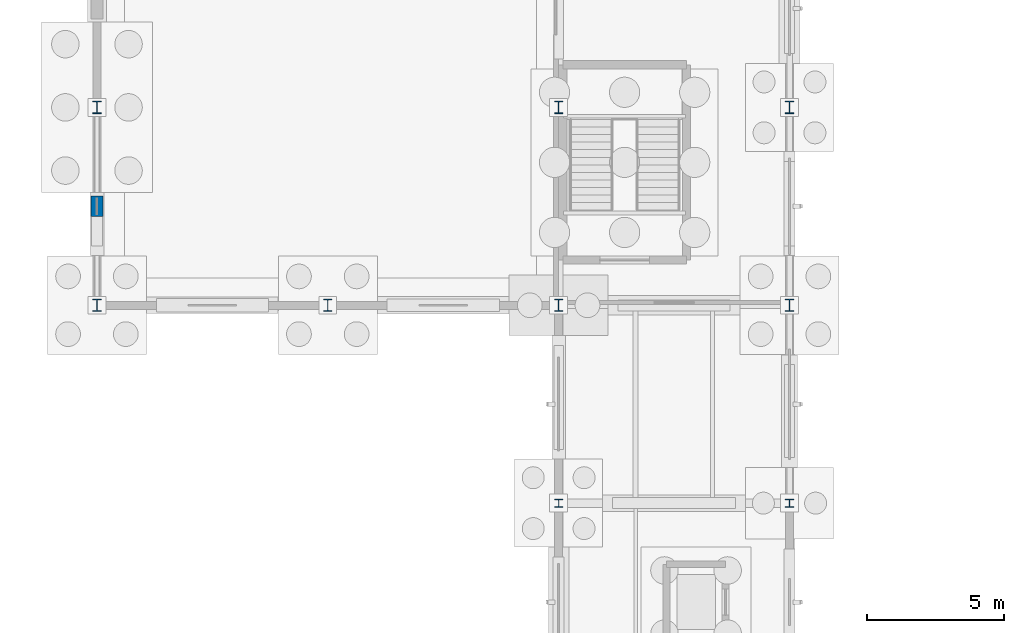
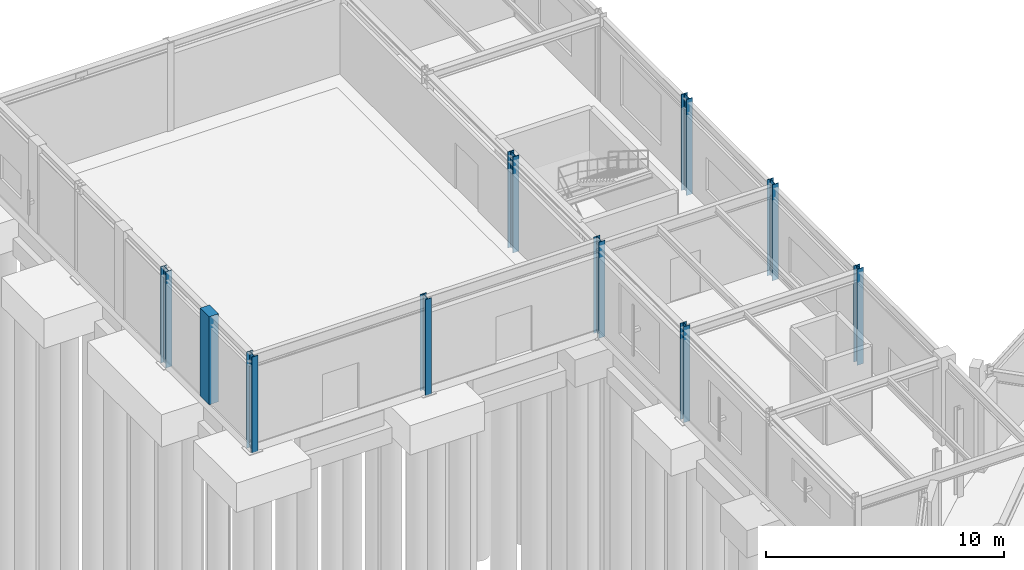
# One storey, part 20 of 93: 10 columns.
"""IFC4 building model written with IfcOpenShell, lengths in metres."""

from ifc_helpers import new_model, si_unit, derived_unit, direction, frame, origin, origin_2d, place, context, subcontext, project, spatial, rectangle, i_section, extrude, material, material_profile, profile_set, type_object, element, save


model = new_model("IFC4")

# Units and contexts
model_context = context("Model", 3, precision=1e-05, world=origin(), true_north=direction((0.0, 1.0)))
body_context = subcontext(model_context, "Body", "Model", "MODEL_VIEW")
ifc_project = project(units=[si_unit("LENGTHUNIT", "METRE"), si_unit("AREAUNIT", "SQUARE_METRE"), si_unit("VOLUMEUNIT", "CUBIC_METRE"), si_unit("PLANEANGLEUNIT", "RADIAN"), si_unit("MASSUNIT", "GRAM", prefix="KILO"), derived_unit("THERMALTRANSMITTANCEUNIT", [(si_unit("MASSUNIT", "GRAM", prefix="KILO"), 1), (si_unit("TIMEUNIT", "SECOND"), -3), (si_unit("THERMODYNAMICTEMPERATUREUNIT", "KELVIN"), -1)])], contexts=[model_context])

# Site, building, storey
site_placement = place(None, origin())
site = spatial("IfcSite", under=ifc_project, at=site_placement, CompositionType="ELEMENT")
building_placement = place(site_placement, origin())
building = spatial("IfcBuilding", under=site, at=building_placement, Name="Kharveza Railside Sports Centre", CompositionType="ELEMENT")
storey_placement = place(building_placement, origin())
storey = spatial("IfcBuildingStorey", under=building, at=storey_placement, Name="L00", CompositionType="ELEMENT", Elevation=0.0)

# Columns
ifc_material_1 = material(Name="Concrete C35/45", Category="concrete")
ifc_material_profile_1 = material_profile(ifc_material_1, rectangle(XDim=0.449951171875, YDim=0.75, at=origin_2d()), Name="RC 450x750")
ifc_profile_set_1 = profile_set([ifc_material_profile_1], Name="Concrete C35/45")
column_type_1 = type_object("IfcColumnType", Name="COL-RC11", PredefinedType="PILASTER", material=ifc_profile_set_1)
column_placement = place(storey_placement, frame((0.0, 90.0, 0.0), z_axis=(0.0, 0.0, 1.0), x_axis=(1.0, 0.0, 0.0)))
element("IfcColumn", 1, at=column_placement, inside=storey, type_object=column_type_1, Name="COL-PIL-CLW-01", PredefinedType="PILASTER", context=body_context, shape_type="SweptSolid", body=[
    extrude(rectangle(XDim=0.449951171875, YDim=0.75, at=origin_2d()), origin(), (0.0, 0.0, 1.0), 4.5),
])
ifc_material_2 = material(Name="Steel S355J2", Category="steel")
ifc_material_profile_2 = material_profile(ifc_material_2, i_section(OverallWidth=0.300048828125, OverallDepth=0.449951171875, WebThickness=0.013916015625, FlangeThickness=0.02587890625, FilletRadius=0.027099609375, at=origin_2d()), Name="HEB 450")
ifc_profile_set_2 = profile_set([ifc_material_profile_2], Name="Steel S355J2")
column_type_2 = type_object("IfcColumnType", Name="COL-S04", PredefinedType="COLUMN", material=ifc_profile_set_2)
for number, where, z_axis, x_axis, name in (
    (2, (0.0, 86.39990234375, -0.419921875), (0.0, 0.0, 1.0), (1.0, 0.0, 0.0), "COL-G-C04-X0-Y864-L00"),
    (3, (0.0, 93.60009765625, -0.419921875), (0.0, 0.0, 1.0), (1.0, 0.0, 0.0), "COL-G-C04-X0-Y936-L00"),
    (4, (8.39990234375, 86.39990234375, -0.419921875), (0.0, 0.0, 1.0), (1.0, 0.0, 0.0), "COL-G-C04-X84-Y864-L00"),
    (5, (16.800048828125, 86.39990234375, -0.419921875), (0.0, 0.0, 1.0), (1.0, 0.0, 0.0), "COL-G-C04-X168-Y864-L00"),
    (6, (16.800048828125, 93.60009765625, -0.419921875), (0.0, 0.0, 1.0), (1.0, 0.0, 0.0), "COL-G-C04-X168-Y936-L00"),
    (7, (25.199951171875, 86.39990234375, -0.419921875), (0.0, 0.0, 1.0), (1.0, 0.0, 0.0), "COL-G-C04-X252-Y864-L00"),
    (8, (25.199951171875, 93.60009765625, -0.419921875), (0.0, 0.0, 1.0), (1.0, 0.0, 0.0), "COL-G-C04-X252-Y936-L00"),
):
    element("IfcColumn", number, at=place(storey_placement, frame(where, z_axis=z_axis, x_axis=x_axis)), inside=storey, type_object=column_type_2, Name=name, PredefinedType="COLUMN", context=body_context, shape_type="SweptSolid", body=[
        extrude(i_section(OverallWidth=0.300048828125, OverallDepth=0.449951171875, WebThickness=0.013916015625, FlangeThickness=0.02587890625, FilletRadius=0.027099609375, at=origin_2d()), origin(), (0.0, 0.0, 1.0), 4.919921875),
    ])
ifc_material_profile_3 = material_profile(ifc_material_2, i_section(OverallWidth=0.300048828125, OverallDepth=0.300048828125, WebThickness=0.010986328125, FlangeThickness=0.01904296875, FilletRadius=0.027099609375, at=origin_2d()), Name="HEB 300")
ifc_profile_set_3 = profile_set([ifc_material_profile_3], Name="Steel S355J2")
column_type_3 = type_object("IfcColumnType", Name="COL-S07", PredefinedType="COLUMN", material=ifc_profile_set_3)
for number, where, z_axis, x_axis, name in (
    (9, (16.800048828125, 79.199951171875, -0.419921875), (0.0, 0.0, 1.0), (1.0, 0.0, 0.0), "COL-G-C07-X168-Y792-L00"),
    (10, (25.199951171875, 79.199951171875, -0.419921875), (0.0, 0.0, 1.0), (1.0, 0.0, 0.0), "COL-G-C07-X252-Y792-L00"),
):
    element("IfcColumn", number, at=place(storey_placement, frame(where, z_axis=z_axis, x_axis=x_axis)), inside=storey, type_object=column_type_3, Name=name, PredefinedType="COLUMN", context=body_context, shape_type="SweptSolid", body=[
        extrude(i_section(OverallWidth=0.300048828125, OverallDepth=0.300048828125, WebThickness=0.010986328125, FlangeThickness=0.01904296875, FilletRadius=0.027099609375, at=origin_2d()), origin(), (0.0, 0.0, 1.0), 4.919921875),
    ])

save(model, "model.ifc")
